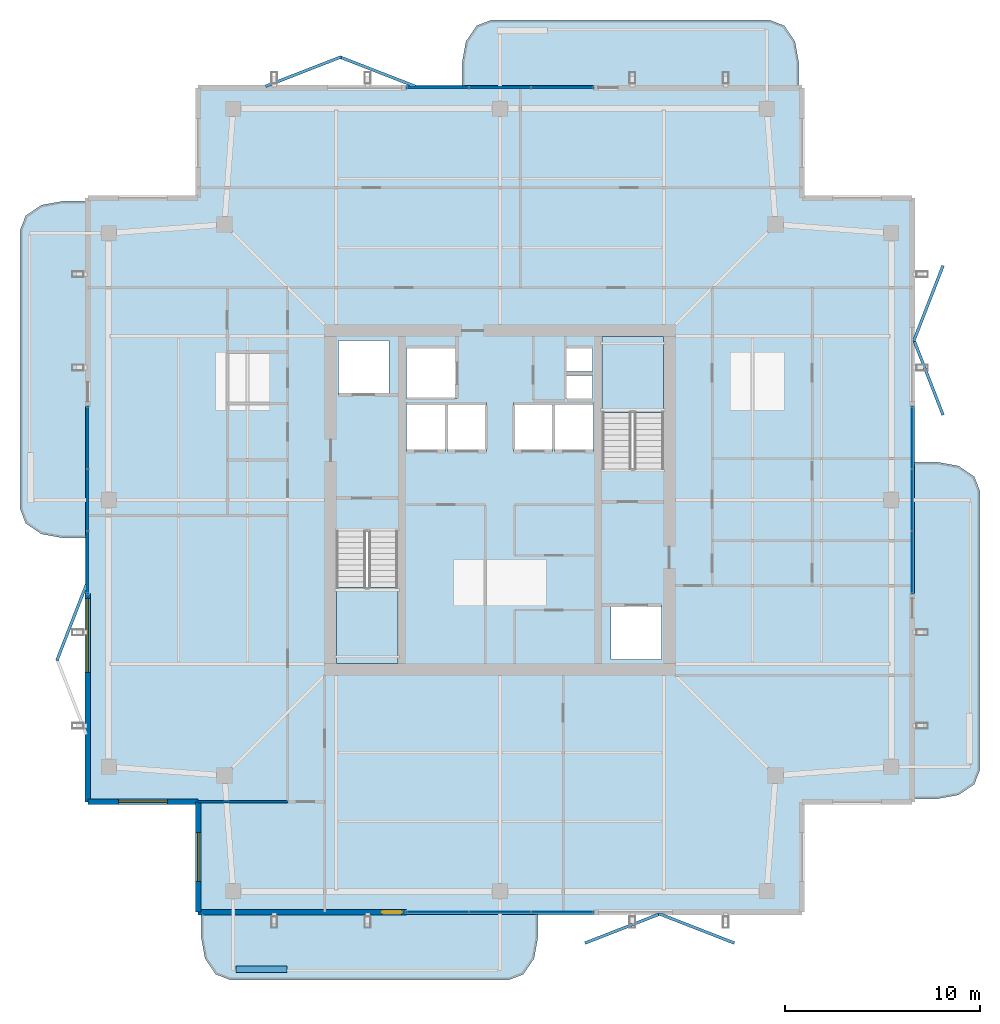
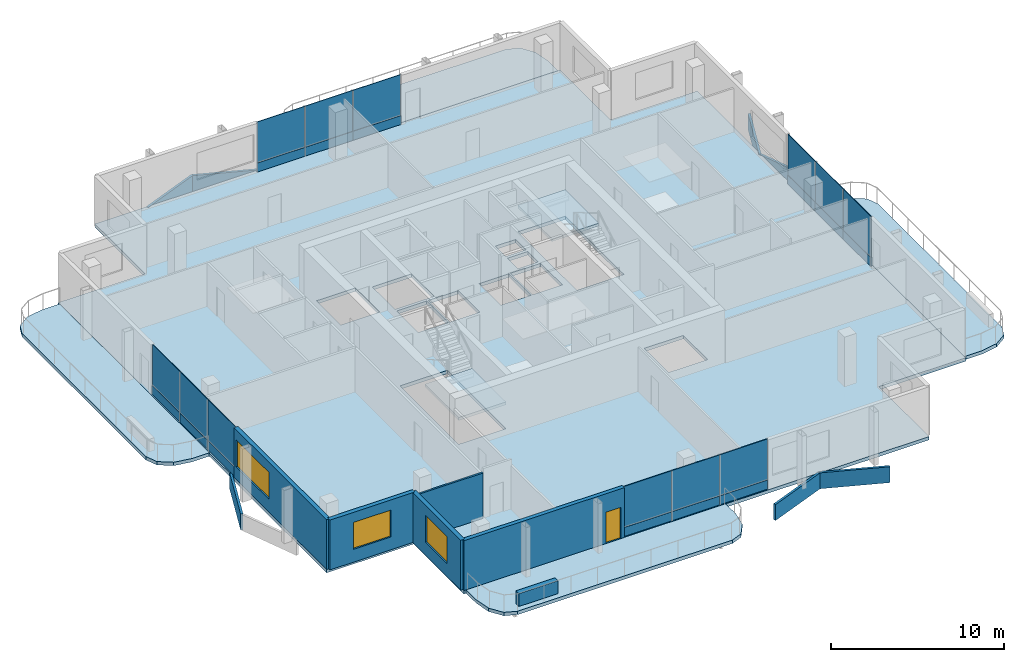
# One storey, part 15 of 22: 31 plates, 7 slabs, 6 walls, 3 windows, 1 door, 4 openings, 6 elements without a shape of their own.
"""IFC4 building model written with IfcOpenShell, lengths in metres."""

from ifc_helpers import new_model, si_unit, direction, frame, frame_2d, origin, origin_2d, place, context, subcontext, project, spatial, polyline, rectangle, outline, extrude, material, layer, layer_set, type_object, element, fill, aggregate, save


model = new_model("IFC4")

# Units and contexts
model_context = context("Model", 3, precision=1e-05, world=origin(), true_north=direction((0.0, 1.0)))
body_context = subcontext(model_context, "Body", "Model", "MODEL_VIEW")
ifc_project = project(units=[si_unit("LENGTHUNIT", "METRE"), si_unit("AREAUNIT", "SQUARE_METRE"), si_unit("VOLUMEUNIT", "CUBIC_METRE"), si_unit("PLANEANGLEUNIT", "RADIAN"), si_unit("MASSUNIT", "GRAM", prefix="KILO")], contexts=[model_context])

# Site, building, storey
site_placement = place(None, origin())
site = spatial("IfcSite", under=ifc_project, at=site_placement, CompositionType="ELEMENT")
building_placement = place(site_placement, origin())
building = spatial("IfcBuilding", under=site, at=building_placement, Name="Belovzor Exchange Tower", CompositionType="ELEMENT")
storey_placement = place(building_placement, frame((0.0, 0.0, 348.0)))
storey = spatial("IfcBuildingStorey", under=building, at=storey_placement, Name="L87", CompositionType="ELEMENT", Elevation=348.0)

# Slab
ifc_material_1 = material(Name="Concrete C40/50", Category="concrete")
ifc_layer_1 = layer(ifc_material_1, 0.239990234375)
ifc_layer_set_1 = layer_set([ifc_layer_1], Name="Concrete C40/50")
slab_type_1 = type_object("IfcSlabType", Name="Composite High-Rise Floor Deck Slab 240", PredefinedType="FLOOR", material=ifc_layer_set_1)
slab_1_placement = place(storey_placement, frame((0.0, 0.0, -0.239990234375)))
element("IfcSlab", 1, at=slab_1_placement, inside=storey, type_object=slab_type_1, Name="SL-F240 Structural Slab L87", PredefinedType="FLOOR", context=body_context, shape_type="SweptSolid", body=[
    extrude(outline(polyline([(13.300048828125, 7.5), (44.300048828125, 7.5), (44.300048828125, 13.300048828125), (50.10009765625, 13.300048828125), (50.10009765625, 44.300048828125), (44.300048828125, 44.300048828125), (44.300048828125, 50.10009765625), (13.300048828125, 50.10009765625), (13.300048828125, 44.300048828125), (7.5, 44.300048828125), (7.5, 13.300048828125), (13.300048828125, 13.300048828125), (13.300048828125, 7.5)]), holes=[polyline([(20.39990234375, 27.175048828125), (20.39990234375, 20.39990234375), (23.550048828125, 20.39990234375), (23.550048828125, 27.175048828125), (20.39990234375, 27.175048828125)]), polyline([(37.199951171875, 30.425048828125), (37.199951171875, 37.199951171875), (34.050048828125, 37.199951171875), (34.050048828125, 30.425048828125), (37.199951171875, 30.425048828125)]), polyline([(20.5, 34.199951171875), (23.10009765625, 34.199951171875), (23.10009765625, 37.0), (20.5, 37.0), (20.5, 34.199951171875)]), polyline([(34.5, 20.60009765625), (37.10009765625, 20.60009765625), (37.10009765625, 23.39990234375), (34.5, 23.39990234375), (34.5, 20.60009765625)]), polyline([(24.0, 34.0), (26.60009765625, 34.0), (26.60009765625, 36.60009765625), (24.0, 36.60009765625), (24.0, 34.0)]), polyline([(24.0, 31.300048828125), (26.0, 31.300048828125), (26.0, 33.800048828125), (24.0, 33.800048828125), (24.0, 31.300048828125)]), polyline([(26.10009765625, 31.300048828125), (28.10009765625, 31.300048828125), (28.10009765625, 33.800048828125), (26.10009765625, 33.800048828125), (26.10009765625, 31.300048828125)]), polyline([(29.5, 31.300048828125), (31.5, 31.300048828125), (31.5, 33.800048828125), (29.5, 33.800048828125), (29.5, 31.300048828125)]), polyline([(31.60009765625, 31.300048828125), (33.60009765625, 31.300048828125), (33.60009765625, 33.800048828125), (31.60009765625, 33.800048828125), (31.60009765625, 31.300048828125)]), polyline([(32.199951171875, 34.0), (33.550048828125, 34.0), (33.550048828125, 35.199951171875), (32.199951171875, 35.199951171875), (32.199951171875, 34.0)]), polyline([(32.199951171875, 35.39990234375), (33.550048828125, 35.39990234375), (33.550048828125, 36.60009765625), (32.199951171875, 36.60009765625), (32.199951171875, 35.39990234375)])]), origin(), (0.0, 0.0, 1.0), 0.239990234375),
])

# Curtain wall, plates
ifc_material_2 = material(Name="Anodised Aluminium Framing", Category="aluminium")
ifc_layer_2 = layer(ifc_material_2, 0.179931640625)
ifc_layer_set_2 = layer_set([ifc_layer_2], Name="Anodised Aluminium Framing")
curtain_wall_type = type_object("IfcCurtainWallType", Name="Recessed Loggia Low-Iron Triple-Glazed Curtain Wall", PredefinedType="NOTDEFINED", material=ifc_layer_set_2)
curtain_wall_1_placement = place(storey_placement, origin())
curtain_wall_1 = element("IfcCurtainWall", 2, at=curtain_wall_1_placement, inside=storey, type_object=curtain_wall_type, Name="CW3 Recessed Loggia Low-Iron Triple-Glazed Curtain Wall L87", PredefinedType="NOTDEFINED")
ifc_material_3 = material(Name="Solar-Control Triple Glazing", Category="glass")
ifc_layer_3 = layer(ifc_material_3, 0.0439453125)
ifc_layer_set_3 = layer_set([ifc_layer_3], Name="Solar-Control Triple Glazing")
plate_type_1 = type_object("IfcPlateType", Name="Insulated Solar Glazing Curtain Panel 44", PredefinedType="CURTAIN_PANEL", material=ifc_layer_set_3)
plate_1_placement = place(storey_placement, frame((32.0, 7.6298828125, 0.634033203125), z_axis=(0.0, 0.0, 1.0), x_axis=(-1.0, 0.0, 0.0)))
plate_1 = element("IfcPlate", 3, at=plate_1_placement, type_object=plate_type_1, Name="GLZ-44 Glazed Curtain Panel 1", PredefinedType="CURTAIN_PANEL", context=body_context, shape_type="SweptSolid", body=[
    extrude(rectangle(XDim=3.18408203125, YDim=0.0439453125, at=origin_2d()), origin(), (0.0, 0.0, 1.0), 2.8759765625),
])
plate_2_placement = place(storey_placement, frame((28.800048828125, 7.6298828125, 0.634033203125), z_axis=(0.0, 0.0, 1.0), x_axis=(-1.0, 0.0, 0.0)))
plate_2 = element("IfcPlate", 4, at=plate_2_placement, type_object=plate_type_1, Name="GLZ-44 Glazed Curtain Panel 2", PredefinedType="CURTAIN_PANEL", context=body_context, shape_type="SweptSolid", body=[
    extrude(rectangle(XDim=3.18408203125, YDim=0.0439453125, at=origin_2d()), origin(), (0.0, 0.0, 1.0), 2.8759765625),
])
plate_3_placement = place(storey_placement, frame((25.60009765625, 7.6298828125, 0.634033203125), z_axis=(0.0, 0.0, 1.0), x_axis=(-1.0, 0.0, 0.0)))
plate_3 = element("IfcPlate", 5, at=plate_3_placement, type_object=plate_type_1, Name="GLZ-44 Glazed Curtain Panel 3", PredefinedType="CURTAIN_PANEL", context=body_context, shape_type="SweptSolid", body=[
    extrude(rectangle(XDim=3.18408203125, YDim=0.0439453125, at=origin_2d()), origin(), (0.0, 0.0, 1.0), 2.8759765625),
])

curtain_wall_2_placement = place(storey_placement, origin())
curtain_wall_2 = element("IfcCurtainWall", 6, at=curtain_wall_2_placement, inside=storey, type_object=curtain_wall_type, Name="CW3 Recessed Loggia Low-Iron Triple-Glazed Curtain Wall L87", PredefinedType="NOTDEFINED")
plate_4_placement = place(storey_placement, frame((25.60009765625, 49.969970703125, 0.634033203125), z_axis=(0.0, 0.0, 1.0), x_axis=(1.0, 0.0, 0.0)))
plate_4 = element("IfcPlate", 7, at=plate_4_placement, type_object=plate_type_1, Name="GLZ-44 Glazed Curtain Panel 1", PredefinedType="CURTAIN_PANEL", context=body_context, shape_type="SweptSolid", body=[
    extrude(rectangle(XDim=3.18408203125, YDim=0.0439453125, at=origin_2d()), origin(), (0.0, 0.0, 1.0), 2.8759765625),
])
plate_5_placement = place(storey_placement, frame((28.800048828125, 49.969970703125, 0.634033203125), z_axis=(0.0, 0.0, 1.0), x_axis=(1.0, 0.0, 0.0)))
plate_5 = element("IfcPlate", 8, at=plate_5_placement, type_object=plate_type_1, Name="GLZ-44 Glazed Curtain Panel 2", PredefinedType="CURTAIN_PANEL", context=body_context, shape_type="SweptSolid", body=[
    extrude(rectangle(XDim=3.18408203125, YDim=0.0439453125, at=origin_2d()), origin(), (0.0, 0.0, 1.0), 2.8759765625),
])
plate_6_placement = place(storey_placement, frame((32.0, 49.969970703125, 0.634033203125), z_axis=(0.0, 0.0, 1.0), x_axis=(1.0, 0.0, 0.0)))
plate_6 = element("IfcPlate", 9, at=plate_6_placement, type_object=plate_type_1, Name="GLZ-44 Glazed Curtain Panel 3", PredefinedType="CURTAIN_PANEL", context=body_context, shape_type="SweptSolid", body=[
    extrude(rectangle(XDim=3.18408203125, YDim=0.0439453125, at=origin_2d()), origin(), (0.0, 0.0, 1.0), 2.8759765625),
])

curtain_wall_3_placement = place(storey_placement, origin())
curtain_wall_3 = element("IfcCurtainWall", 10, at=curtain_wall_3_placement, inside=storey, type_object=curtain_wall_type, Name="CW3 Recessed Loggia Low-Iron Triple-Glazed Curtain Wall L87", PredefinedType="NOTDEFINED")
plate_7_placement = place(storey_placement, frame((7.6298828125, 25.60009765625, 0.634033203125), z_axis=(0.0, 0.0, 1.0), x_axis=(0.0, 1.0, 0.0)))
plate_7 = element("IfcPlate", 11, at=plate_7_placement, type_object=plate_type_1, Name="GLZ-44 Glazed Curtain Panel 1", PredefinedType="CURTAIN_PANEL", context=body_context, shape_type="SweptSolid", body=[
    extrude(rectangle(XDim=3.18408203125, YDim=0.0439453125, at=origin_2d()), origin(), (0.0, 0.0, 1.0), 2.8759765625),
])
plate_8_placement = place(storey_placement, frame((7.6298828125, 28.800048828125, 0.634033203125), z_axis=(0.0, 0.0, 1.0), x_axis=(0.0, 1.0, 0.0)))
plate_8 = element("IfcPlate", 12, at=plate_8_placement, type_object=plate_type_1, Name="GLZ-44 Glazed Curtain Panel 2", PredefinedType="CURTAIN_PANEL", context=body_context, shape_type="SweptSolid", body=[
    extrude(rectangle(XDim=3.18408203125, YDim=0.0439453125, at=origin_2d()), origin(), (0.0, 0.0, 1.0), 2.8759765625),
])
plate_9_placement = place(storey_placement, frame((7.6298828125, 32.0, 0.634033203125), z_axis=(0.0, 0.0, 1.0), x_axis=(0.0, 1.0, 0.0)))
plate_9 = element("IfcPlate", 13, at=plate_9_placement, type_object=plate_type_1, Name="GLZ-44 Glazed Curtain Panel 3", PredefinedType="CURTAIN_PANEL", context=body_context, shape_type="SweptSolid", body=[
    extrude(rectangle(XDim=3.18408203125, YDim=0.0439453125, at=origin_2d()), origin(), (0.0, 0.0, 1.0), 2.8759765625),
])

curtain_wall_4_placement = place(storey_placement, origin())
curtain_wall_4 = element("IfcCurtainWall", 14, at=curtain_wall_4_placement, inside=storey, type_object=curtain_wall_type, Name="CW3 Recessed Loggia Low-Iron Triple-Glazed Curtain Wall L87", PredefinedType="NOTDEFINED")
plate_10_placement = place(storey_placement, frame((49.969970703125, 32.0, 0.634033203125), z_axis=(0.0, 0.0, 1.0), x_axis=(0.0, -1.0, 0.0)))
plate_10 = element("IfcPlate", 15, at=plate_10_placement, type_object=plate_type_1, Name="GLZ-44 Glazed Curtain Panel 1", PredefinedType="CURTAIN_PANEL", context=body_context, shape_type="SweptSolid", body=[
    extrude(rectangle(XDim=3.18408203125, YDim=0.0439453125, at=origin_2d()), origin(), (0.0, 0.0, 1.0), 2.8759765625),
])
plate_11_placement = place(storey_placement, frame((49.969970703125, 28.800048828125, 0.634033203125), z_axis=(0.0, 0.0, 1.0), x_axis=(0.0, -1.0, 0.0)))
plate_11 = element("IfcPlate", 16, at=plate_11_placement, type_object=plate_type_1, Name="GLZ-44 Glazed Curtain Panel 2", PredefinedType="CURTAIN_PANEL", context=body_context, shape_type="SweptSolid", body=[
    extrude(rectangle(XDim=3.18408203125, YDim=0.0439453125, at=origin_2d()), origin(), (0.0, 0.0, 1.0), 2.8759765625),
])
plate_12_placement = place(storey_placement, frame((49.969970703125, 25.60009765625, 0.634033203125), z_axis=(0.0, 0.0, 1.0), x_axis=(0.0, -1.0, 0.0)))
plate_12 = element("IfcPlate", 17, at=plate_12_placement, type_object=plate_type_1, Name="GLZ-44 Glazed Curtain Panel 3", PredefinedType="CURTAIN_PANEL", context=body_context, shape_type="SweptSolid", body=[
    extrude(rectangle(XDim=3.18408203125, YDim=0.0439453125, at=origin_2d()), origin(), (0.0, 0.0, 1.0), 2.8759765625),
])

# Stair, slab
ifc_material_4 = material(Name="Concrete C40/50", Category="concrete")
stair_type = type_object("IfcStairType", Name="Reinforced Concrete Dogleg Escape Stair 1350", PredefinedType="HALF_TURN_STAIR", material=ifc_material_4)
stair_1_placement = place(storey_placement, origin())
stair_1 = element("IfcStair", 18, at=stair_1_placement, inside=storey, type_object=stair_type, Name="L87 ST-1", PredefinedType="HALF_TURN_STAIR")
ifc_material_5 = material(Name="Concrete C40/50", Category="concrete")
ifc_layer_4 = layer(ifc_material_5, 0.199951171875)
ifc_layer_set_4 = layer_set([ifc_layer_4], Name="Concrete C40/50")
slab_type_2 = type_object("IfcSlabType", Name="Reinforced Concrete Stair Half-Landing Slab 200", PredefinedType="LANDING", material=ifc_layer_set_4)
slab_2_placement = place(storey_placement, frame((0.0, 0.0, 1.675048828125)))
slab_2 = element("IfcSlab", 19, at=slab_2_placement, type_object=slab_type_2, Name="ST-1 landing 1", PredefinedType="LANDING", context=body_context, shape_type="SweptSolid", body=[
    extrude(outline(polyline([(20.39990234375, 24.300048828125), (20.39990234375, 20.39990234375), (23.550048828125, 20.39990234375), (23.550048828125, 24.300048828125), (20.39990234375, 24.300048828125)])), origin(), (0.0, 0.0, 1.0), 0.199951171875),
])
aggregate(stair_1, [slab_2])

stair_2_placement = place(storey_placement, origin())
stair_2 = element("IfcStair", 20, at=stair_2_placement, inside=storey, type_object=stair_type, Name="L87 ST-2", PredefinedType="HALF_TURN_STAIR")
slab_3_placement = place(storey_placement, frame((0.0, 0.0, 1.675048828125)))
slab_3 = element("IfcSlab", 21, at=slab_3_placement, type_object=slab_type_2, Name="ST-2 landing 1", PredefinedType="LANDING", context=body_context, shape_type="SweptSolid", body=[
    extrude(outline(polyline([(37.199951171875, 33.300048828125), (37.199951171875, 37.199951171875), (34.050048828125, 37.199951171875), (34.050048828125, 33.300048828125), (37.199951171875, 33.300048828125)])), origin(), (0.0, 0.0, 1.0), 0.199951171875),
])
aggregate(stair_2, [slab_3])

# Plate
ifc_material_6 = material(Name="Extruded Architectural Terracotta", Category="masonry")
ifc_layer_5 = layer(ifc_material_6, 0.090087890625)
ifc_layer_set_5 = layer_set([ifc_layer_5], Name="Extruded Architectural Terracotta")
plate_type_2 = type_object("IfcPlateType", Name="Terracotta Shadow-Box Spandrel Panel 90", PredefinedType="CURTAIN_PANEL", material=ifc_layer_set_5)
plate_13_placement = place(storey_placement, frame((32.0, 7.6298828125, 0.0), z_axis=(0.0, 0.0, 1.0), x_axis=(-1.0, 0.0, 0.0)))
plate_13 = element("IfcPlate", 22, at=plate_13_placement, type_object=plate_type_2, Name="SPD-90 Spandrel Panel 1", PredefinedType="CURTAIN_PANEL", context=body_context, shape_type="SweptSolid", body=[
    extrude(rectangle(XDim=3.18408203125, YDim=0.090087890625, at=origin_2d()), origin(), (0.0, 0.0, 1.0), 0.6298828125),
])

plate_14_placement = place(storey_placement, frame((28.800048828125, 7.6298828125, 0.0), z_axis=(0.0, 0.0, 1.0), x_axis=(-1.0, 0.0, 0.0)))
plate_14 = element("IfcPlate", 23, at=plate_14_placement, type_object=plate_type_2, Name="SPD-90 Spandrel Panel 2", PredefinedType="CURTAIN_PANEL", context=body_context, shape_type="SweptSolid", body=[
    extrude(rectangle(XDim=3.18408203125, YDim=0.090087890625, at=origin_2d()), origin(), (0.0, 0.0, 1.0), 0.6298828125),
])

plate_15_placement = place(storey_placement, frame((25.60009765625, 7.6298828125, 0.0), z_axis=(0.0, 0.0, 1.0), x_axis=(-1.0, 0.0, 0.0)))
plate_15 = element("IfcPlate", 24, at=plate_15_placement, type_object=plate_type_2, Name="SPD-90 Spandrel Panel 3", PredefinedType="CURTAIN_PANEL", context=body_context, shape_type="SweptSolid", body=[
    extrude(rectangle(XDim=3.18408203125, YDim=0.090087890625, at=origin_2d()), origin(), (0.0, 0.0, 1.0), 0.6298828125),
])

aggregate(curtain_wall_1, [plate_13, plate_1, plate_14, plate_2, plate_15, plate_3])

plate_16_placement = place(storey_placement, frame((25.60009765625, 49.969970703125, 0.0), z_axis=(0.0, 0.0, 1.0), x_axis=(1.0, 0.0, 0.0)))
plate_16 = element("IfcPlate", 25, at=plate_16_placement, type_object=plate_type_2, Name="SPD-90 Spandrel Panel 1", PredefinedType="CURTAIN_PANEL", context=body_context, shape_type="SweptSolid", body=[
    extrude(rectangle(XDim=3.18408203125, YDim=0.090087890625, at=origin_2d()), origin(), (0.0, 0.0, 1.0), 0.6298828125),
])

plate_17_placement = place(storey_placement, frame((28.800048828125, 49.969970703125, 0.0), z_axis=(0.0, 0.0, 1.0), x_axis=(1.0, 0.0, 0.0)))
plate_17 = element("IfcPlate", 26, at=plate_17_placement, type_object=plate_type_2, Name="SPD-90 Spandrel Panel 2", PredefinedType="CURTAIN_PANEL", context=body_context, shape_type="SweptSolid", body=[
    extrude(rectangle(XDim=3.18408203125, YDim=0.090087890625, at=origin_2d()), origin(), (0.0, 0.0, 1.0), 0.6298828125),
])

plate_18_placement = place(storey_placement, frame((32.0, 49.969970703125, 0.0), z_axis=(0.0, 0.0, 1.0), x_axis=(1.0, 0.0, 0.0)))
plate_18 = element("IfcPlate", 27, at=plate_18_placement, type_object=plate_type_2, Name="SPD-90 Spandrel Panel 3", PredefinedType="CURTAIN_PANEL", context=body_context, shape_type="SweptSolid", body=[
    extrude(rectangle(XDim=3.18408203125, YDim=0.090087890625, at=origin_2d()), origin(), (0.0, 0.0, 1.0), 0.6298828125),
])

aggregate(curtain_wall_2, [plate_16, plate_4, plate_17, plate_5, plate_18, plate_6])

plate_19_placement = place(storey_placement, frame((7.6298828125, 25.60009765625, 0.0), z_axis=(0.0, 0.0, 1.0), x_axis=(0.0, 1.0, 0.0)))
plate_19 = element("IfcPlate", 28, at=plate_19_placement, type_object=plate_type_2, Name="SPD-90 Spandrel Panel 1", PredefinedType="CURTAIN_PANEL", context=body_context, shape_type="SweptSolid", body=[
    extrude(rectangle(XDim=3.18408203125, YDim=0.090087890625, at=origin_2d()), origin(), (0.0, 0.0, 1.0), 0.6298828125),
])

plate_20_placement = place(storey_placement, frame((7.6298828125, 28.800048828125, 0.0), z_axis=(0.0, 0.0, 1.0), x_axis=(0.0, 1.0, 0.0)))
plate_20 = element("IfcPlate", 29, at=plate_20_placement, type_object=plate_type_2, Name="SPD-90 Spandrel Panel 2", PredefinedType="CURTAIN_PANEL", context=body_context, shape_type="SweptSolid", body=[
    extrude(rectangle(XDim=3.18408203125, YDim=0.090087890625, at=origin_2d()), origin(), (0.0, 0.0, 1.0), 0.6298828125),
])

plate_21_placement = place(storey_placement, frame((7.6298828125, 32.0, 0.0), z_axis=(0.0, 0.0, 1.0), x_axis=(0.0, 1.0, 0.0)))
plate_21 = element("IfcPlate", 30, at=plate_21_placement, type_object=plate_type_2, Name="SPD-90 Spandrel Panel 3", PredefinedType="CURTAIN_PANEL", context=body_context, shape_type="SweptSolid", body=[
    extrude(rectangle(XDim=3.18408203125, YDim=0.090087890625, at=origin_2d()), origin(), (0.0, 0.0, 1.0), 0.6298828125),
])

aggregate(curtain_wall_3, [plate_19, plate_7, plate_20, plate_8, plate_21, plate_9])

plate_22_placement = place(storey_placement, frame((49.969970703125, 32.0, 0.0), z_axis=(0.0, 0.0, 1.0), x_axis=(0.0, -1.0, 0.0)))
plate_22 = element("IfcPlate", 31, at=plate_22_placement, type_object=plate_type_2, Name="SPD-90 Spandrel Panel 1", PredefinedType="CURTAIN_PANEL", context=body_context, shape_type="SweptSolid", body=[
    extrude(rectangle(XDim=3.18408203125, YDim=0.090087890625, at=origin_2d()), origin(), (0.0, 0.0, 1.0), 0.6298828125),
])

plate_23_placement = place(storey_placement, frame((49.969970703125, 28.800048828125, 0.0), z_axis=(0.0, 0.0, 1.0), x_axis=(0.0, -1.0, 0.0)))
plate_23 = element("IfcPlate", 32, at=plate_23_placement, type_object=plate_type_2, Name="SPD-90 Spandrel Panel 2", PredefinedType="CURTAIN_PANEL", context=body_context, shape_type="SweptSolid", body=[
    extrude(rectangle(XDim=3.18408203125, YDim=0.090087890625, at=origin_2d()), origin(), (0.0, 0.0, 1.0), 0.6298828125),
])

plate_24_placement = place(storey_placement, frame((49.969970703125, 25.60009765625, 0.0), z_axis=(0.0, 0.0, 1.0), x_axis=(0.0, -1.0, 0.0)))
plate_24 = element("IfcPlate", 33, at=plate_24_placement, type_object=plate_type_2, Name="SPD-90 Spandrel Panel 3", PredefinedType="CURTAIN_PANEL", context=body_context, shape_type="SweptSolid", body=[
    extrude(rectangle(XDim=3.18408203125, YDim=0.090087890625, at=origin_2d()), origin(), (0.0, 0.0, 1.0), 0.6298828125),
])

aggregate(curtain_wall_4, [plate_22, plate_10, plate_23, plate_11, plate_24, plate_12])

# Slabs
ifc_material_7 = material(Name="Concrete C40/50", Category="concrete")
ifc_layer_6 = layer(ifc_material_7, 0.239990234375)
ifc_layer_set_6 = layer_set([ifc_layer_6], Name="Concrete C40/50")
slab_type_3 = type_object("IfcSlabType", Name="Thermally Broken Upper Balcony Slab 240", PredefinedType="FLOOR", material=ifc_layer_set_6)
slab_4_placement = place(storey_placement, frame((0.0, 0.0, -0.239990234375)))
element("IfcSlab", 34, at=slab_4_placement, inside=storey, type_object=slab_type_3, Name="SL-BAL220 Planted Balcony Loggia L87 South", PredefinedType="FLOOR", context=body_context, shape_type="SweptSolid", body=[
    extrude(outline(polyline([(13.449951171875, 7.514892578125), (13.449951171875, 6.35009765625), (13.65087890625, 5.25), (14.199951171875, 4.445068359375), (14.949951171875, 4.14990234375), (29.25, 4.14990234375), (30.0, 4.445068359375), (30.549072265625, 5.25), (30.75, 6.35009765625), (30.75, 7.514892578125), (13.449951171875, 7.514892578125)])), origin(), (0.0, 0.0, 1.0), 0.239990234375),
])
slab_5_placement = place(storey_placement, frame((0.0, 0.0, -0.239990234375)))
element("IfcSlab", 35, at=slab_5_placement, inside=storey, type_object=slab_type_3, Name="SL-BAL220 Planted Balcony Loggia L87 North", PredefinedType="FLOOR", context=body_context, shape_type="SweptSolid", body=[
    extrude(outline(polyline([(44.14990234375, 50.0849609375), (44.14990234375, 51.25), (43.948974609375, 52.35009765625), (43.39990234375, 53.155029296875), (42.64990234375, 53.449951171875), (28.35009765625, 53.449951171875), (27.60009765625, 53.155029296875), (27.051025390625, 52.35009765625), (26.85009765625, 51.25), (26.85009765625, 50.0849609375), (44.14990234375, 50.0849609375)])), origin(), (0.0, 0.0, 1.0), 0.239990234375),
])
slab_6_placement = place(storey_placement, frame((0.0, 0.0, -0.239990234375)))
element("IfcSlab", 36, at=slab_6_placement, inside=storey, type_object=slab_type_3, Name="SL-BAL220 Planted Balcony Loggia L87 East", PredefinedType="FLOOR", context=body_context, shape_type="SweptSolid", body=[
    extrude(outline(polyline([(50.0849609375, 13.449951171875), (51.25, 13.449951171875), (52.35009765625, 13.65087890625), (53.155029296875, 14.199951171875), (53.449951171875, 14.949951171875), (53.449951171875, 29.25), (53.155029296875, 30.0), (52.35009765625, 30.549072265625), (51.25, 30.75), (50.0849609375, 30.75), (50.0849609375, 13.449951171875)])), origin(), (0.0, 0.0, 1.0), 0.239990234375),
])
slab_7_placement = place(storey_placement, frame((0.0, 0.0, -0.239990234375)))
element("IfcSlab", 37, at=slab_7_placement, inside=storey, type_object=slab_type_3, Name="SL-BAL220 Planted Balcony Loggia L87 West", PredefinedType="FLOOR", context=body_context, shape_type="SweptSolid", body=[
    extrude(outline(polyline([(7.514892578125, 44.14990234375), (6.35009765625, 44.14990234375), (5.25, 43.948974609375), (4.445068359375, 43.39990234375), (4.14990234375, 42.64990234375), (4.14990234375, 28.35009765625), (4.445068359375, 27.60009765625), (5.25, 27.051025390625), (6.35009765625, 26.85009765625), (7.514892578125, 26.85009765625), (7.514892578125, 44.14990234375)])), origin(), (0.0, 0.0, 1.0), 0.239990234375),
])

# Plates
ifc_material_8 = material(Name="Extruded Architectural Terracotta", Category="masonry")
ifc_layer_7 = layer(ifc_material_8, 0.14990234375)
ifc_layer_set_7 = layer_set([ifc_layer_7], Name="Extruded Architectural Terracotta")
plate_type_3 = type_object("IfcPlateType", Name="Upper-Crown Deep Folded Zigzag Terracotta Spandrel Louvre 150", PredefinedType="USERDEFINED", material=ifc_layer_set_7)
for number, where, z_axis, x_axis, name in (
    (38, (18.699951171875, 50.800048828125, -1.10498046875), (0.0, 0.0, 1.0), (0.931817969421, 0.362925986758, 0.0), "LVR-ZZ3 Zigzag Terracotta Spandrel Louvre L87 N1A"),
    (39, (22.5, 50.800048828125, -1.10498046875), (0.0, 0.0, 1.0), (0.931817969421, -0.362925986758, 0.0), "LVR-ZZ3 Zigzag Terracotta Spandrel Louvre L87 N1B"),
    (40, (6.800048828125, 22.5, -1.10498046875), (0.0, 0.0, 1.0), (0.362925986758, 0.931817969421, 0.0), "LVR-ZZ3 Zigzag Terracotta Spandrel Louvre L87 W1B"),
    (41, (35.10009765625, 6.800048828125, -1.10498046875), (0.0, 0.0, 1.0), (0.931817969421, 0.362925986758, 0.0), "LVR-ZZ3 Zigzag Terracotta Spandrel Louvre L87 S2A"),
    (42, (38.89990234375, 6.800048828125, -1.10498046875), (0.0, 0.0, 1.0), (0.931817969421, -0.362925986758, 0.0), "LVR-ZZ3 Zigzag Terracotta Spandrel Louvre L87 S2B"),
    (43, (50.800048828125, 35.10009765625, -1.10498046875), (0.0, 0.0, 1.0), (-0.362925986758, 0.931817969421, 0.0), "LVR-ZZ3 Zigzag Terracotta Spandrel Louvre L87 E2A"),
    (44, (50.800048828125, 38.89990234375, -1.10498046875), (0.0, 0.0, 1.0), (0.362925986758, 0.931817969421, 0.0), "LVR-ZZ3 Zigzag Terracotta Spandrel Louvre L87 E2B"),
):
    element("IfcPlate", number, at=place(storey_placement, frame(where, z_axis=z_axis, x_axis=x_axis)), inside=storey, type_object=plate_type_3, Name=name, ObjectType="SPANDREL_LOUVRE", PredefinedType="USERDEFINED", context=body_context, shape_type="SweptSolid", body=[
        extrude(rectangle(XDim=4.157958984375, YDim=0.14990234375, at=origin_2d()), origin(), (0.0, 0.0, 1.0), 1.1201171875),
    ])

# Wall
ifc_material_9 = material(Name="Acoustic Plasterboard on Galvanised Studs", Category="gypsum")
ifc_layer_8 = layer(ifc_material_9, 0.1201171875)
ifc_layer_set_8 = layer_set([ifc_layer_8], Name="Acoustic Plasterboard on Galvanised Studs")
wall_type_1 = type_object("IfcWallType", Name="Acoustic Double-Stud Partition Wall 120", PredefinedType="PARTITIONING", material=ifc_layer_set_8)
wall_1_placement = place(storey_placement, frame((13.300048828125, 13.300048828125, 0.0), z_axis=(0.0, 0.0, 1.0), x_axis=(1.0, 0.0, 0.0)))
element("IfcWall", 45, at=wall_1_placement, inside=storey, type_object=wall_type_1, Name="W-P120 Partition Wall W-L87-SWS", PredefinedType="PARTITIONING", context=body_context, shape_type="SweptSolid", body=[
    extrude(rectangle(XDim=4.599853515625, YDim=0.1201171875, at=frame_2d((2.2998046875, 0.0))), origin(), (0.0, 0.0, 1.0), 3.195068359375),
])

# Wall, opening, window
ifc_material_10 = material(Name="Precast concrete C40/50", Category="concrete")
ifc_layer_9 = layer(ifc_material_10, 0.280029296875)
ifc_layer_set_9 = layer_set([ifc_layer_9], Name="Precast concrete C40/50")
wall_type_2 = type_object("IfcWallType", Name="Precast Concrete Notched Corner Frame Wall 280", PredefinedType="SOLIDWALL", material=ifc_layer_set_9)
wall_2_placement = place(storey_placement, frame((13.300048828125, 7.6298828125, 0.0), z_axis=(0.0, 0.0, 1.0), x_axis=(0.0, 1.0, 0.0)))
wall_2 = element("IfcWall", 46, at=wall_2_placement, inside=storey, type_object=wall_type_2, Name="W-CRN280 Precast Concrete Notched Corner Frame Wall 280 L87", PredefinedType="SOLIDWALL", context=body_context, shape_type="SweptSolid", body=[
    extrude(rectangle(XDim=5.670166015625, YDim=0.280029296875, at=frame_2d((2.8349609375, 0.0))), origin(), (0.0, 0.0, 1.0), 3.510009765625),
])
opening_1_placement = place(wall_2_placement, frame((1.5849609375, 0.0, 0.89990234375)))
opening_1 = element("IfcOpeningElement", 47, at=opening_1_placement, cuts=wall_2, Name="Opening WN-CRN250", PredefinedType="OPENING", context=body_context, shape_type="SweptSolid", body=[
    extrude(rectangle(XDim=2.5, YDim=1.89990234375, at=frame_2d((1.25, 0.949951171875))), frame((0.0, 0.14990234375, 0.0), z_axis=(0.0, -1.0, 0.0), x_axis=(1.0, 0.0, 0.0)), (0.0, 0.0, 1.0), 0.300048828125),
])
ifc_material_11 = material(Name="Thermally Broken Aluminium and Triple Glazing", Category="aluminium")
window_type_1 = type_object("IfcWindowType", Name="Streamline Moderne Corner Wrap Ribbon Window 2500x1900", PartitioningType="SINGLE_PANEL", PredefinedType="WINDOW", material=ifc_material_11)
window_1_placement = place(opening_1_placement, origin())
window_1 = element("IfcWindow", 48, at=window_1_placement, inside=storey, type_object=window_type_1, Name="WN-CRN250 Streamline Moderne Corner Wrap Ribbon Window 2500x1900", OverallHeight=1.89990234375, OverallWidth=2.5, PartitioningType="SINGLE_PANEL", PredefinedType="WINDOW", context=body_context, shape_type="SweptSolid", body=[
    extrude(rectangle(XDim=2.5, YDim=1.89990234375, at=frame_2d((1.25, 0.949951171875))), frame((0.0, 0.030029296875, 0.0), z_axis=(0.0, -1.0, 0.0), x_axis=(1.0, 0.0, 0.0)), (0.0, 0.0, 1.0), 0.06005859375),
])
fill(opening_1, window_1)

wall_3_placement = place(storey_placement, frame((13.300048828125, 13.300048828125, 0.0), z_axis=(0.0, 0.0, 1.0), x_axis=(-1.0, 0.0, 0.0)))
wall_3 = element("IfcWall", 49, at=wall_3_placement, inside=storey, type_object=wall_type_2, Name="W-CRN280 Precast Concrete Notched Corner Frame Wall 280 L87", PredefinedType="SOLIDWALL", context=body_context, shape_type="SweptSolid", body=[
    extrude(rectangle(XDim=5.670166015625, YDim=0.280029296875, at=frame_2d((2.8349609375, 0.0))), origin(), (0.0, 0.0, 1.0), 3.510009765625),
])
opening_2_placement = place(wall_3_placement, frame((1.5849609375, 0.0, 0.89990234375)))
opening_2 = element("IfcOpeningElement", 50, at=opening_2_placement, cuts=wall_3, Name="Opening WN-CRN250", PredefinedType="OPENING", context=body_context, shape_type="SweptSolid", body=[
    extrude(rectangle(XDim=2.5, YDim=1.89990234375, at=frame_2d((1.25, 0.949951171875))), frame((0.0, 0.14990234375, 0.0), z_axis=(0.0, -1.0, 0.0), x_axis=(1.0, 0.0, 0.0)), (0.0, 0.0, 1.0), 0.300048828125),
])
window_2_placement = place(opening_2_placement, origin())
window_2 = element("IfcWindow", 51, at=window_2_placement, inside=storey, type_object=window_type_1, Name="WN-CRN250 Streamline Moderne Corner Wrap Ribbon Window 2500x1900", OverallHeight=1.89990234375, OverallWidth=2.5, PartitioningType="SINGLE_PANEL", PredefinedType="WINDOW", context=body_context, shape_type="SweptSolid", body=[
    extrude(rectangle(XDim=2.5, YDim=1.89990234375, at=frame_2d((1.25, 0.949951171875))), frame((0.0, 0.030029296875, 0.0), z_axis=(0.0, -1.0, 0.0), x_axis=(1.0, 0.0, 0.0)), (0.0, 0.0, 1.0), 0.06005859375),
])
fill(opening_2, window_2)

# Wall, opening, door
ifc_material_12 = material(Name="Precast concrete C40/50", Category="concrete")
ifc_layer_10 = layer(ifc_material_12, 0.260009765625)
ifc_layer_set_10 = layer_set([ifc_layer_10], Name="Precast concrete C40/50")
wall_type_3 = type_object("IfcWallType", Name="Precast Concrete Perimeter Loggia Frame Wall 260", PredefinedType="SOLIDWALL", material=ifc_layer_set_10)
wall_4_placement = place(storey_placement, frame((24.0, 7.6298828125, 0.0), z_axis=(0.0, 0.0, 1.0), x_axis=(-1.0, 0.0, 0.0)))
wall_4 = element("IfcWall", 52, at=wall_4_placement, inside=storey, type_object=wall_type_3, Name="W-EXT260 Precast Concrete Perimeter Loggia Frame Wall 260 L87", PredefinedType="SOLIDWALL", context=body_context, shape_type="SweptSolid", body=[
    extrude(rectangle(XDim=10.699951171875, YDim=0.260009765625, at=frame_2d((5.35009765625, 0.0))), origin(), (0.0, 0.0, 1.0), 3.510009765625),
])
opening_3_placement = place(wall_4_placement, frame((0.25, 0.0, 0.0)))
opening_3 = element("IfcOpeningElement", 53, at=opening_3_placement, cuts=wall_4, Name="Opening D-BAL100", PredefinedType="OPENING", context=body_context, shape_type="SweptSolid", body=[
    extrude(rectangle(XDim=1.0, YDim=2.199951171875, at=frame_2d((0.5, 1.10009765625))), frame((0.0, 0.139892578125, 0.0), z_axis=(0.0, -1.0, 0.0), x_axis=(1.0, 0.0, 0.0)), (0.0, 0.0, 1.0), 0.280029296875),
])
ifc_material_13 = material(Name="Thermally Broken Anodised Aluminium and Laminated Glass", Category="aluminium")
door_type = type_object("IfcDoorType", Name="Planted Loggia Terrace Glazed Door 1000x2200", OperationType="SINGLE_SWING_LEFT", PredefinedType="DOOR", material=ifc_material_13)
door_placement = place(opening_3_placement, origin())
door = element("IfcDoor", 54, at=door_placement, inside=storey, type_object=door_type, Name="D-BAL100 Balcony Terrace Door L87 S", OperationType="SINGLE_SWING_LEFT", OverallHeight=2.199951171875, OverallWidth=1.0, PredefinedType="DOOR", context=body_context, shape_type="SweptSolid", body=[
    extrude(rectangle(XDim=1.0, YDim=2.199951171875, at=frame_2d((0.5, 1.10009765625))), frame((0.0, 0.02490234375, 0.0), z_axis=(0.0, -1.0, 0.0), x_axis=(1.0, 0.0, 0.0)), (0.0, 0.0, 1.0), 0.050048828125),
])
fill(opening_3, door)

# Wall, opening, window
wall_5_placement = place(storey_placement, frame((7.6298828125, 13.300048828125, 0.0), z_axis=(0.0, 0.0, 1.0), x_axis=(0.0, 1.0, 0.0)))
wall_5 = element("IfcWall", 55, at=wall_5_placement, inside=storey, type_object=wall_type_3, Name="W-EXT260 Precast Concrete Perimeter Loggia Frame Wall 260 L87", PredefinedType="SOLIDWALL", context=body_context, shape_type="SweptSolid", body=[
    extrude(rectangle(XDim=10.699951171875, YDim=0.260009765625, at=frame_2d((5.35009765625, 0.0))), origin(), (0.0, 0.0, 1.0), 3.510009765625),
])
opening_4_placement = place(wall_5_placement, frame((6.64990234375, 0.0, 0.89990234375)))
opening_4 = element("IfcOpeningElement", 56, at=opening_4_placement, cuts=wall_5, Name="Opening WN-RIB380", PredefinedType="OPENING", context=body_context, shape_type="SweptSolid", body=[
    extrude(rectangle(XDim=3.800048828125, YDim=1.89990234375, at=frame_2d((1.89990234375, 0.949951171875))), frame((0.0, 0.139892578125, 0.0), z_axis=(0.0, -1.0, 0.0), x_axis=(1.0, 0.0, 0.0)), (0.0, 0.0, 1.0), 0.280029296875),
])
ifc_material_14 = material(Name="Thermally Broken Aluminium and Triple Glazing", Category="aluminium")
window_type_2 = type_object("IfcWindowType", Name="Streamline Moderne Horizontal Ribbon Window 3800x1900", PartitioningType="SINGLE_PANEL", PredefinedType="WINDOW", material=ifc_material_14)
window_3_placement = place(opening_4_placement, origin())
window_3 = element("IfcWindow", 57, at=window_3_placement, inside=storey, type_object=window_type_2, Name="WN-RIB380 Streamline Moderne Horizontal Ribbon Window 3800x1900", OverallHeight=1.89990234375, OverallWidth=3.800048828125, PartitioningType="SINGLE_PANEL", PredefinedType="WINDOW", context=body_context, shape_type="SweptSolid", body=[
    extrude(rectangle(XDim=3.800048828125, YDim=1.89990234375, at=frame_2d((1.89990234375, 0.949951171875))), frame((0.0, 0.030029296875, 0.0), z_axis=(0.0, -1.0, 0.0), x_axis=(1.0, 0.0, 0.0)), (0.0, 0.0, 1.0), 0.06005859375),
])
fill(opening_4, window_3)

# Wall
ifc_material_15 = material(Name="Precast concrete C40/50", Category="concrete")
ifc_layer_11 = layer(ifc_material_15, 0.35009765625)
ifc_layer_set_11 = layer_set([ifc_layer_11], Name="Precast concrete C40/50")
wall_type_4 = type_object("IfcWallType", Name="Precast Concrete Structural Tree Planter Trough 350", PredefinedType="PARAPET", material=ifc_layer_set_11)
wall_6_placement = place(storey_placement, frame((15.25, 4.699951171875, 0.0), z_axis=(0.0, 0.0, 1.0), x_axis=(1.0, 0.0, 0.0)))
element("IfcWall", 58, at=wall_6_placement, inside=storey, type_object=wall_type_4, Name="PT-350 Precast Concrete Structural Tree Planter Trough 350 L87", PredefinedType="PARAPET", context=body_context, shape_type="SweptSolid", body=[
    extrude(rectangle(XDim=2.60009765625, YDim=0.35009765625, at=frame_2d((1.300048828125, 0.0))), origin(), (0.0, 0.0, 1.0), 0.89990234375),
])

save(model, "model.ifc")
